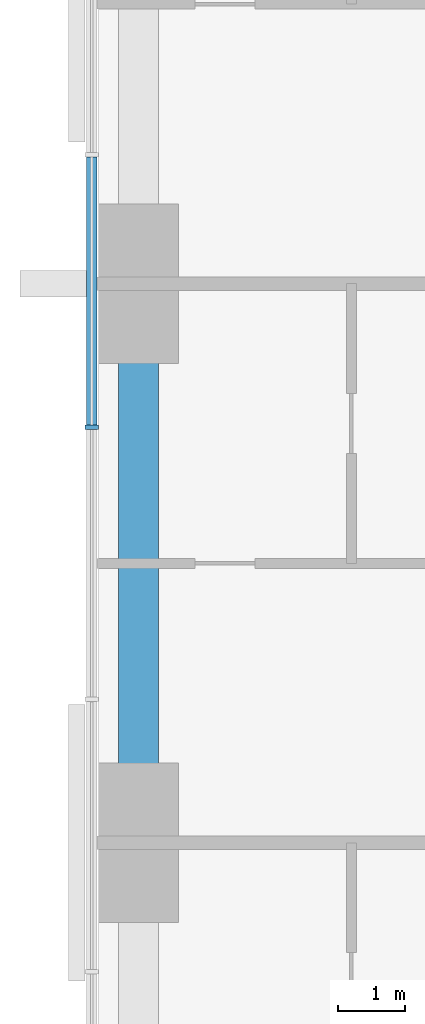
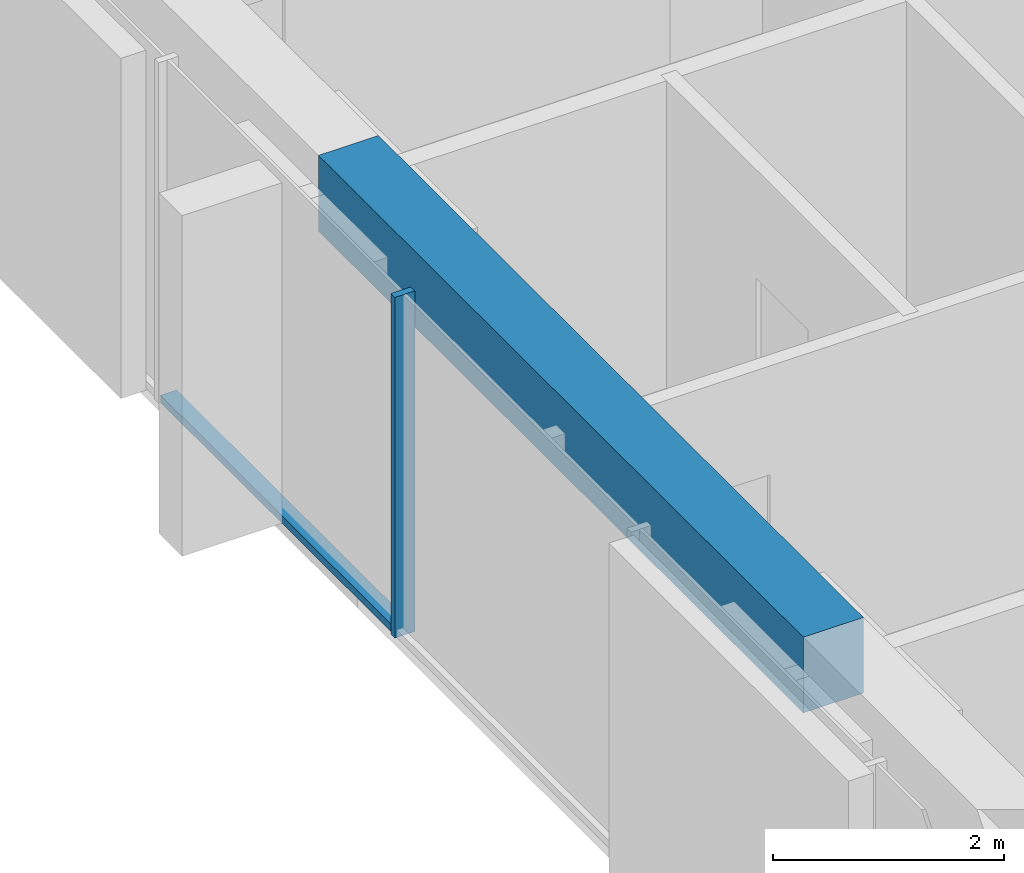
# One storey, part 3 of 14: 2 members, 1 beam, 1 element without a shape of its own.
"""IFC4 building model written with IfcOpenShell, lengths in metres."""

from ifc_helpers import new_model, si_unit, direction, frame, origin, origin_2d, place, context, subcontext, project, spatial, rectangle, extrude, material, material_profile, profile_set, type_object, element, aggregate, save


model = new_model("IFC4")

# Units and contexts
model_context = context("Model", 3, precision=1e-05, world=origin(), true_north=direction((0.0, 1.0)))
body_context = subcontext(model_context, "Body", "Model", "MODEL_VIEW")
ifc_project = project(units=[si_unit("LENGTHUNIT", "METRE"), si_unit("AREAUNIT", "SQUARE_METRE"), si_unit("VOLUMEUNIT", "CUBIC_METRE"), si_unit("PLANEANGLEUNIT", "RADIAN"), si_unit("MASSUNIT", "GRAM", prefix="KILO")], contexts=[model_context])

# Site, building, storey
site_placement = place(None, origin())
site = spatial("IfcSite", under=ifc_project, at=site_placement, CompositionType="ELEMENT")
building_placement = place(site_placement, origin())
building = spatial("IfcBuilding", under=site, at=building_placement, Name="Dunama Terrace Hotel", CompositionType="ELEMENT")
storey_placement = place(building_placement, frame((0.0, 0.0, 202.199951171875)))
storey = spatial("IfcBuildingStorey", under=building, at=storey_placement, Name="L52", CompositionType="ELEMENT", Elevation=202.199951171875)

# Curtain wall, members
ifc_material_1 = material(Name="Aluminium curtain wall system", Category="aluminium")
curtain_wall_type = type_object("IfcCurtainWallType", Name="Unitised fritted glass wall CW-C", PredefinedType="NOTDEFINED", material=ifc_material_1)
curtain_wall_placement = place(storey_placement, origin())
curtain_wall = element("IfcCurtainWall", 1, at=curtain_wall_placement, inside=storey, type_object=curtain_wall_type, Name="Unitised fritted glass wall CW-C L52", PredefinedType="NOTDEFINED")
ifc_material_2 = material(Name="Aluminium mullion", Category="aluminium")
ifc_material_profile_1 = material_profile(ifc_material_2, rectangle(XDim=0.070068359375, YDim=0.199951171875, at=origin_2d()), Name="CWC MULLION 70X200")
ifc_profile_set_1 = profile_set([ifc_material_profile_1], Name="Aluminium mullion")
member_type_1 = type_object("IfcMemberType", Name="CWC mullion 70x200", PredefinedType="MULLION", material=ifc_profile_set_1)
member_1_placement = place(storey_placement, frame((4.10009765625, 31.445068359375, 0.0), z_axis=(0.0, 0.0, 1.0), x_axis=(0.0, -1.0, 0.0)))
member_1 = element("IfcMember", 2, at=member_1_placement, type_object=member_type_1, Name="CWC mullion", PredefinedType="MULLION", context=body_context, shape_type="SweptSolid", body=[
    extrude(rectangle(XDim=0.070068359375, YDim=0.199951171875, at=origin_2d()), origin(), (0.0, 0.0, 1.0), 3.60009765625),
])
ifc_material_3 = material(Name="Aluminium transom", Category="aluminium")
ifc_material_profile_2 = material_profile(ifc_material_3, rectangle(XDim=0.159912109375, YDim=0.080078125, at=origin_2d()), Name="CWC TRANSOM 160X80")
ifc_profile_set_2 = profile_set([ifc_material_profile_2], Name="Aluminium transom")
member_type_2 = type_object("IfcMemberType", Name="CWC transom 160x80", PredefinedType="USERDEFINED", material=ifc_profile_set_2)
member_2_placement = place(storey_placement, frame((4.10009765625, 35.5009765625, 0.0400390625), z_axis=(0.0, -1.0, 0.0), x_axis=(1.0, 0.0, 0.0)))
member_2 = element("IfcMember", 3, at=member_2_placement, type_object=member_type_2, Name="CWC transom", ObjectType="TRANSOM", PredefinedType="USERDEFINED", context=body_context, shape_type="SweptSolid", body=[
    extrude(rectangle(XDim=0.159912109375, YDim=0.080078125, at=origin_2d()), origin(), (0.0, 0.0, 1.0), 4.02099609375),
])
aggregate(curtain_wall, [member_1, member_2])

# Beam
ifc_material_4 = material(Name="Concrete C40/50", Category="concrete")
ifc_material_profile_3 = material_profile(ifc_material_4, rectangle(XDim=0.60009765625, YDim=0.800048828125, at=origin_2d()), Name="RC 600x800")
ifc_profile_set_3 = profile_set([ifc_material_profile_3], Name="Concrete C40/50")
beam_type = type_object("IfcBeamType", Name="Edge beam RC 600x800", PredefinedType="SPANDREL", material=ifc_profile_set_3)
beam_placement = place(storey_placement, frame((4.800048828125, 25.199951171875, 3.199951171875), z_axis=(0.0, 1.0, 0.0), x_axis=(-1.0, 0.0, 0.0)))
element("IfcBeam", 4, at=beam_placement, inside=storey, type_object=beam_type, Name="Edge beam under L53", PredefinedType="SPANDREL", context=body_context, shape_type="SweptSolid", body=[
    extrude(rectangle(XDim=0.60009765625, YDim=0.800048828125, at=origin_2d()), origin(), (0.0, 0.0, 1.0), 8.400146484375),
])

save(model, "model.ifc")
